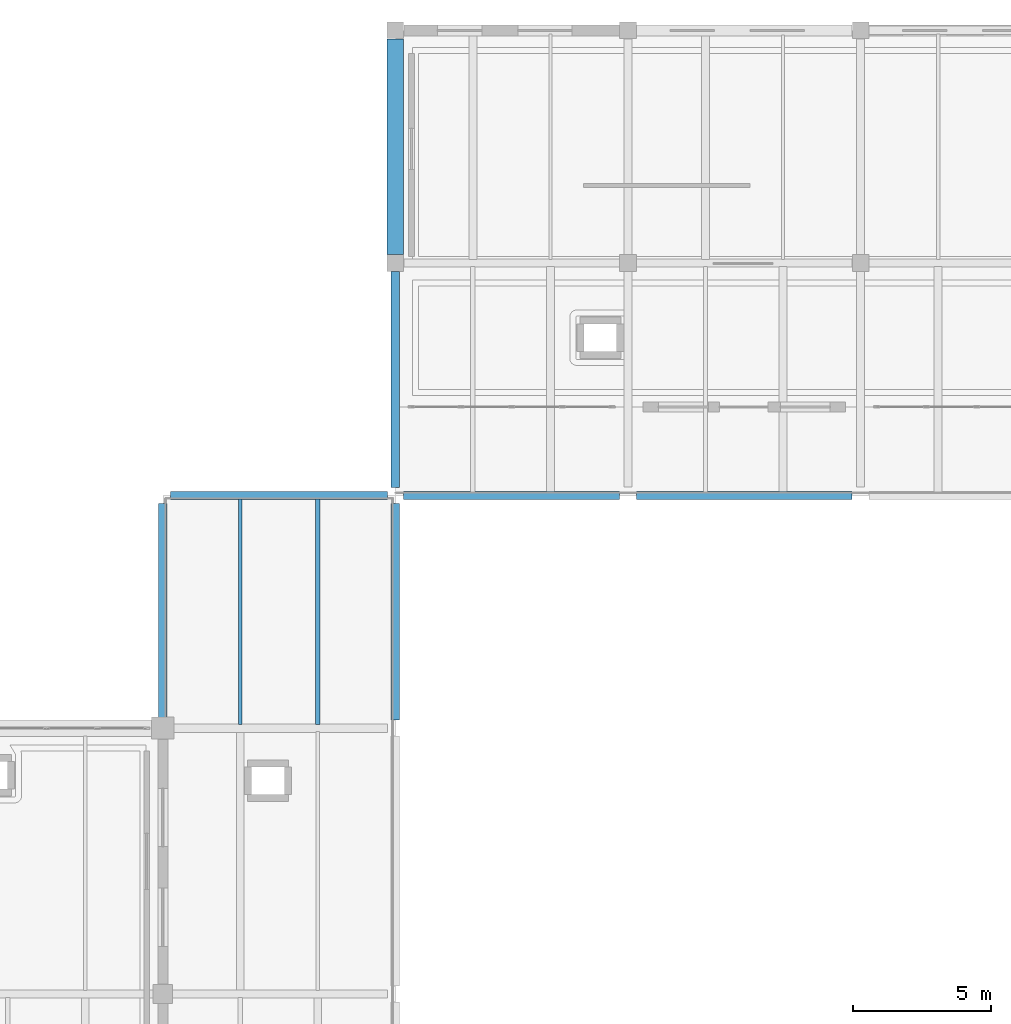
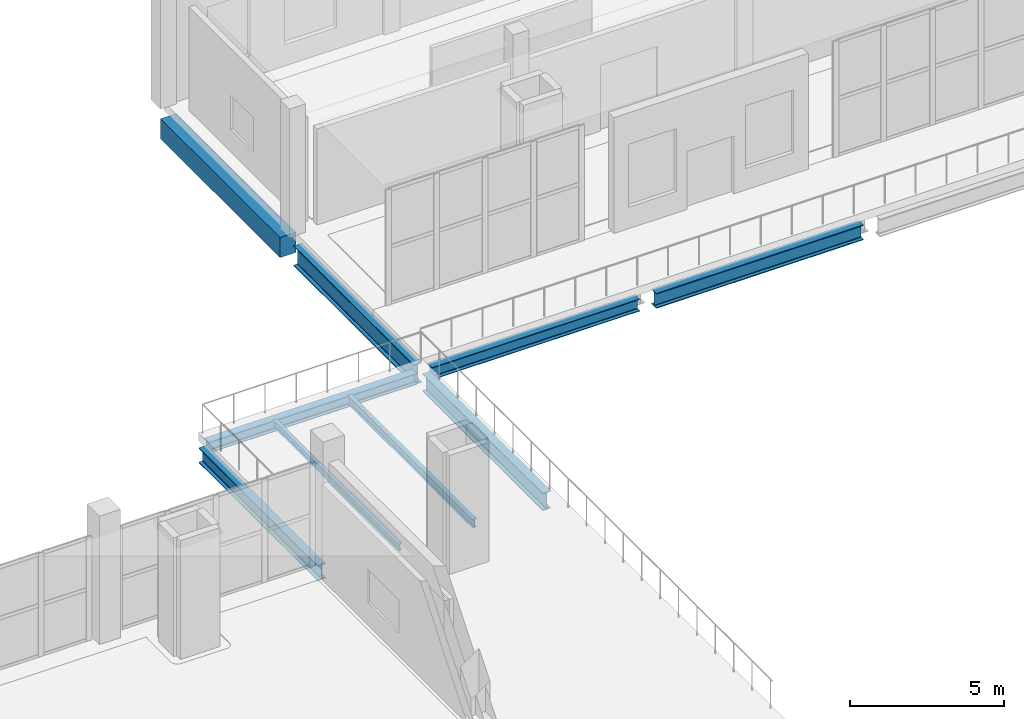
# One storey, part 27 of 77: 9 beams.
"""IFC4 building model written with IfcOpenShell, lengths in metres."""

from ifc_helpers import new_model, si_unit, direction, frame, origin, origin_2d, place, context, subcontext, project, spatial, rectangle, i_section, extrude, material, material_profile, profile_set, type_object, element, save


model = new_model("IFC4")

# Units and contexts
model_context = context("Model", 3, precision=1e-05, world=origin(), true_north=direction((0.0, 1.0)))
body_context = subcontext(model_context, "Body", "Model", "MODEL_VIEW")
ifc_project = project(units=[si_unit("LENGTHUNIT", "METRE"), si_unit("AREAUNIT", "SQUARE_METRE"), si_unit("VOLUMEUNIT", "CUBIC_METRE"), si_unit("PLANEANGLEUNIT", "RADIAN"), si_unit("MASSUNIT", "GRAM", prefix="KILO")], contexts=[model_context])

# Site, building, storey
site_placement = place(None, origin())
site = spatial("IfcSite", under=ifc_project, at=site_placement, CompositionType="ELEMENT")
building_placement = place(site_placement, origin())
building = spatial("IfcBuilding", under=site, at=building_placement, Name="Zulmaris Art Gallery", CompositionType="ELEMENT")
storey_placement = place(building_placement, frame((0.0, 0.0, 15.60009765625)))
storey = spatial("IfcBuildingStorey", under=building, at=storey_placement, Name="L03", CompositionType="ELEMENT", Elevation=15.60009765625)

# Beams
ifc_material_1 = material(Name="Steel S355J2", Category="steel")
ifc_material_profile_1 = material_profile(ifc_material_1, i_section(OverallWidth=0.300048828125, OverallDepth=0.43994140625, WebThickness=0.011474609375, FlangeThickness=0.02099609375, FilletRadius=0.027099609375, at=origin_2d()), Name="HEA 450")
ifc_profile_set_1 = profile_set([ifc_material_profile_1], Name="Steel S355J2")
beam_type_1 = type_object("IfcBeamType", Name="BEAM-BM10", PredefinedType="BEAM", material=ifc_profile_set_1)
beam_1_placement = place(storey_placement, frame((83.0849609375, 58.800048828125, -0.6201171875), z_axis=(1.0, 0.0, 0.0), x_axis=(0.0, 1.0, 0.0)))
element("IfcBeam", 1, at=beam_1_placement, inside=storey, type_object=beam_type_1, Name="L03 X-girder (82.8..91.2, y=58.8)", PredefinedType="BEAM", context=body_context, shape_type="SweptSolid", body=[
    extrude(i_section(OverallWidth=0.300048828125, OverallDepth=0.43994140625, WebThickness=0.011474609375, FlangeThickness=0.02099609375, FilletRadius=0.027099609375, at=origin_2d()), origin(), (0.0, 0.0, 1.0), 7.830078125),
])
ifc_material_profile_2 = material_profile(ifc_material_1, i_section(OverallWidth=0.300048828125, OverallDepth=0.489990234375, WebThickness=0.011962890625, FlangeThickness=0.02294921875, FilletRadius=0.027099609375, at=origin_2d()), Name="HEA 500")
ifc_profile_set_2 = profile_set([ifc_material_profile_2], Name="Steel S355J2")
beam_type_2 = type_object("IfcBeamType", Name="BEAM-BM11", PredefinedType="BEAM", material=ifc_profile_set_2)
beam_2_placement = place(storey_placement, frame((91.485107421875, 58.800048828125, -0.614990234375), z_axis=(1.0, 0.0, 0.0), x_axis=(0.0, 1.0, 0.0)))
element("IfcBeam", 2, at=beam_2_placement, inside=storey, type_object=beam_type_2, Name="L03 X-girder (91.2..99.6, y=58.8)", PredefinedType="BEAM", context=body_context, shape_type="SweptSolid", body=[
    extrude(i_section(OverallWidth=0.300048828125, OverallDepth=0.489990234375, WebThickness=0.011962890625, FlangeThickness=0.02294921875, FilletRadius=0.027099609375, at=origin_2d()), origin(), (0.0, 0.0, 1.0), 7.804931640625),
])
ifc_material_profile_3 = material_profile(ifc_material_1, i_section(OverallWidth=0.300048828125, OverallDepth=0.60009765625, WebThickness=0.015380859375, FlangeThickness=0.030029296875, FilletRadius=0.027099609375, at=origin_2d()), Name="HEB 600")
ifc_profile_set_3 = profile_set([ifc_material_profile_3], Name="Steel S355J2")
beam_type_3 = type_object("IfcBeamType", Name="BEAM-BM15", PredefinedType="BEAM", material=ifc_profile_set_3)
beam_3_placement = place(storey_placement, frame((99.909912109375, 58.800048828125, -0.670166015625), z_axis=(1.0, 0.0, 0.0), x_axis=(0.0, 1.0, 0.0)))
element("IfcBeam", 3, at=beam_3_placement, inside=storey, type_object=beam_type_3, Name="L03 X-girder (99.6..108.0, y=58.8)", PredefinedType="BEAM", context=body_context, shape_type="SweptSolid", body=[
    extrude(i_section(OverallWidth=0.300048828125, OverallDepth=0.60009765625, WebThickness=0.015380859375, FlangeThickness=0.030029296875, FilletRadius=0.027099609375, at=origin_2d()), origin(), (0.0, 0.0, 1.0), 7.780029296875),
])
beam_4_placement = place(storey_placement, frame((82.800048828125, 50.784912109375, -0.670166015625), z_axis=(0.0, 1.0, 0.0), x_axis=(-1.0, 0.0, 0.0)))
element("IfcBeam", 4, at=beam_4_placement, inside=storey, type_object=beam_type_3, Name="L03 Y-girder (x=82.8, 50.4..58.8)", PredefinedType="BEAM", context=body_context, shape_type="SweptSolid", body=[
    extrude(i_section(OverallWidth=0.300048828125, OverallDepth=0.60009765625, WebThickness=0.015380859375, FlangeThickness=0.030029296875, FilletRadius=0.027099609375, at=origin_2d()), origin(), (0.0, 0.0, 1.0), 7.72998046875),
])
ifc_material_profile_4 = material_profile(ifc_material_1, i_section(OverallWidth=0.300048828125, OverallDepth=0.699951171875, WebThickness=0.01708984375, FlangeThickness=0.031982421875, FilletRadius=0.027099609375, at=origin_2d()), Name="HEB 700")
ifc_profile_set_4 = profile_set([ifc_material_profile_4], Name="Steel S355J2")
beam_type_4 = type_object("IfcBeamType", Name="BEAM-BM16", PredefinedType="BEAM", material=ifc_profile_set_4)
beam_5_placement = place(storey_placement, frame((91.199951171875, 50.68505859375, -0.72021484375), z_axis=(0.0, 1.0, 0.0), x_axis=(-1.0, 0.0, 0.0)))
element("IfcBeam", 5, at=beam_5_placement, inside=storey, type_object=beam_type_4, Name="L03 Y-girder (x=91.2, 50.4..58.8)", PredefinedType="BEAM", context=body_context, shape_type="SweptSolid", body=[
    extrude(i_section(OverallWidth=0.300048828125, OverallDepth=0.699951171875, WebThickness=0.01708984375, FlangeThickness=0.031982421875, FilletRadius=0.027099609375, at=origin_2d()), origin(), (0.0, 0.0, 1.0), 7.829833984375),
])
ifc_material_profile_5 = material_profile(ifc_material_1, i_section(OverallWidth=0.300048828125, OverallDepth=0.800048828125, WebThickness=0.017578125, FlangeThickness=0.032958984375, FilletRadius=0.030029296875, at=origin_2d()), Name="HEB 800")
ifc_profile_set_5 = profile_set([ifc_material_profile_5], Name="Steel S355J2")
beam_type_5 = type_object("IfcBeamType", Name="BEAM-BM17", PredefinedType="BEAM", material=ifc_profile_set_5)
beam_6_placement = place(storey_placement, frame((91.199951171875, 59.0849609375, -0.77001953125), z_axis=(0.0, 1.0, 0.0), x_axis=(-1.0, 0.0, 0.0)))
element("IfcBeam", 6, at=beam_6_placement, inside=storey, type_object=beam_type_5, Name="L03 Y-girder (x=91.2, 58.8..67.2)", PredefinedType="BEAM", context=body_context, shape_type="SweptSolid", body=[
    extrude(i_section(OverallWidth=0.300048828125, OverallDepth=0.800048828125, WebThickness=0.017578125, FlangeThickness=0.032958984375, FilletRadius=0.030029296875, at=origin_2d()), origin(), (0.0, 0.0, 1.0), 7.804931640625),
])
ifc_material_2 = material(Name="Concrete C40/50", Category="concrete")
ifc_material_profile_6 = material_profile(ifc_material_2, rectangle(XDim=0.60009765625, YDim=0.800048828125, at=origin_2d()), Name="RC 600x800")
ifc_profile_set_6 = profile_set([ifc_material_profile_6], Name="Concrete C40/50")
beam_type_6 = type_object("IfcBeamType", Name="BEAM-BM27", PredefinedType="BEAM", material=ifc_profile_set_6)
beam_7_placement = place(storey_placement, frame((91.199951171875, 67.510009765625, -0.77001953125), z_axis=(0.0, 1.0, 0.0), x_axis=(-1.0, 0.0, 0.0)))
element("IfcBeam", 7, at=beam_7_placement, inside=storey, type_object=beam_type_6, Name="L03 Y-girder (x=91.2, 67.2..75.6)", PredefinedType="BEAM", context=body_context, shape_type="SweptSolid", body=[
    extrude(rectangle(XDim=0.60009765625, YDim=0.800048828125, at=origin_2d()), origin(), (0.0, 0.0, 1.0), 7.780029296875),
])
ifc_material_profile_7 = material_profile(ifc_material_1, i_section(OverallWidth=0.135009765625, OverallDepth=0.27001953125, WebThickness=0.006591796875, FlangeThickness=0.01025390625, FilletRadius=0.014892578125, at=origin_2d()), Name="IPE 270")
ifc_profile_set_7 = profile_set([ifc_material_profile_7], Name="Steel S355J2")
beam_type_7 = type_object("IfcBeamType", Name="BEAM-JS02", PredefinedType="JOIST", material=ifc_profile_set_7)
beam_8_placement = place(storey_placement, frame((85.60009765625, 50.52490234375, -0.505126953125), z_axis=(0.0, 1.0, 0.0), x_axis=(-1.0, 0.0, 0.0)))
element("IfcBeam", 8, at=beam_8_placement, inside=storey, type_object=beam_type_7, Name="L03 secondary joist at x=85.6", PredefinedType="JOIST", context=body_context, shape_type="SweptSolid", body=[
    extrude(i_section(OverallWidth=0.135009765625, OverallDepth=0.27001953125, WebThickness=0.006591796875, FlangeThickness=0.01025390625, FilletRadius=0.014892578125, at=origin_2d()), origin(), (0.0, 0.0, 1.0), 8.150146484375),
])
ifc_material_profile_8 = material_profile(ifc_material_1, i_section(OverallWidth=0.159912109375, OverallDepth=0.330078125, WebThickness=0.007568359375, FlangeThickness=0.011474609375, FilletRadius=0.01806640625, at=origin_2d()), Name="IPE 330")
ifc_profile_set_8 = profile_set([ifc_material_profile_8], Name="Steel S355J2")
beam_type_8 = type_object("IfcBeamType", Name="BEAM-JS03", PredefinedType="JOIST", material=ifc_profile_set_8)
beam_9_placement = place(storey_placement, frame((88.39990234375, 50.52490234375, -0.53515625), z_axis=(0.0, 1.0, 0.0), x_axis=(-1.0, 0.0, 0.0)))
element("IfcBeam", 9, at=beam_9_placement, inside=storey, type_object=beam_type_8, Name="L03 secondary joist at x=88.4", PredefinedType="JOIST", context=body_context, shape_type="SweptSolid", body=[
    extrude(i_section(OverallWidth=0.159912109375, OverallDepth=0.330078125, WebThickness=0.007568359375, FlangeThickness=0.011474609375, FilletRadius=0.01806640625, at=origin_2d()), origin(), (0.0, 0.0, 1.0), 8.150146484375),
])

save(model, "model.ifc")
